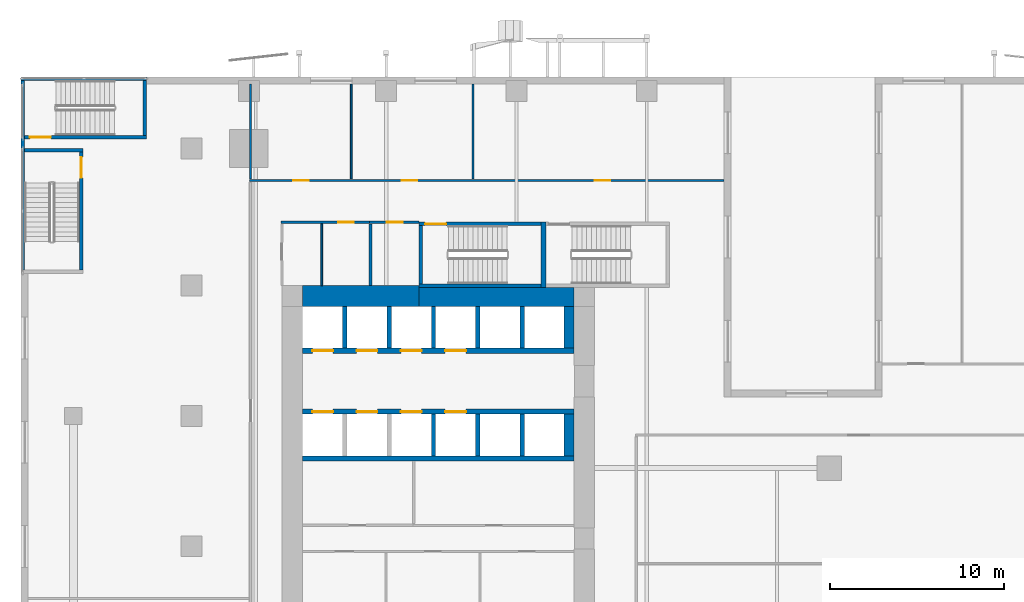
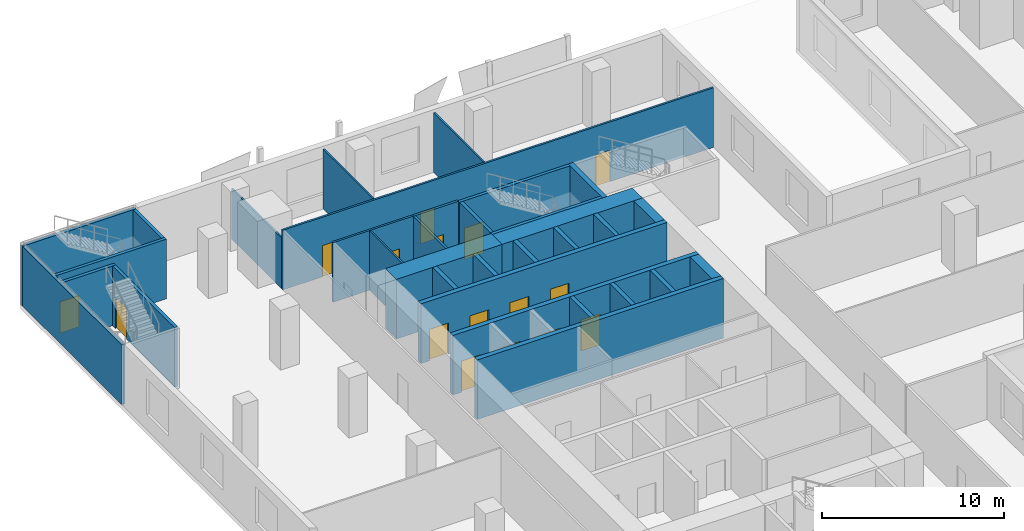
# One storey, part 12 of 21: 33 walls, 16 doors, 16 openings.
"""IFC4 building model written with IfcOpenShell, lengths in metres."""

from ifc_helpers import new_model, si_unit, direction, frame, frame_2d, origin, place, context, subcontext, project, spatial, rectangle, extrude, source, transform, mapped, material, layer, layer_set, type_object, element, fill, save


model = new_model("IFC4")

# Units and contexts
model_context = context("Model", 3, precision=1e-05, world=origin(), true_north=direction((0.0, 1.0)))
body_context = subcontext(model_context, "Body", "Model", "MODEL_VIEW")
ifc_project = project(units=[si_unit("LENGTHUNIT", "METRE"), si_unit("AREAUNIT", "SQUARE_METRE"), si_unit("VOLUMEUNIT", "CUBIC_METRE"), si_unit("PLANEANGLEUNIT", "RADIAN"), si_unit("MASSUNIT", "GRAM", prefix="KILO")], contexts=[model_context])

# Site, building, storey
site_placement = place(None, origin())
site = spatial("IfcSite", under=ifc_project, at=site_placement, CompositionType="ELEMENT")
building_placement = place(site_placement, origin())
building = spatial("IfcBuilding", under=site, at=building_placement, Name="Khomas Fold Tower", CompositionType="ELEMENT")
storey_placement = place(building_placement, frame((0.0, 0.0, 28.5)))
storey = spatial("IfcBuildingStorey", under=building, at=storey_placement, Name="L05", CompositionType="ELEMENT", Elevation=28.5)

# Walls
ifc_material_1 = material(Name="Concrete C70/85", Category="concrete")
ifc_layer_1 = layer(ifc_material_1, 1.199951171875)
ifc_layer_set_1 = layer_set([ifc_layer_1], Name="Concrete C70/85")
wall_type_1 = type_object("IfcWallType", Name="Core wall 1200", PredefinedType="SHEAR", material=ifc_layer_set_1)
shared_shape_1 = source(origin(), body_context, "Body", "SweptSolid", [
    extrude(rectangle(XDim=6.699951171875, YDim=1.199951171875, at=frame_2d((3.35009765625, 0.0))), origin(), (0.0, 0.0, 1.0), 4.0),
])
wall_1_placement = place(storey_placement, frame((7.199951171875, 41.39990234375, 0.0), z_axis=(0.0, 0.0, 1.0), x_axis=(1.0, 0.0, 0.0)))
element("IfcWall", 1, at=wall_1_placement, inside=storey, type_object=wall_type_1, Name="Core wall CW-L-N-B2", PredefinedType="SHEAR", context=body_context, shape_type="MappedRepresentation", body=[
    mapped(shared_shape_1, transform((0.0, 0.0, 0.0))),
])
ifc_material_2 = material(Name="Concrete C70/85", Category="concrete")
ifc_layer_2 = layer(ifc_material_2, 1.10009765625)
ifc_layer_set_2 = layer_set([ifc_layer_2], Name="Concrete C70/85")
wall_type_2 = type_object("IfcWallType", Name="Core wall 1100", PredefinedType="SHEAR", material=ifc_layer_set_2)
shared_shape_2 = source(origin(), body_context, "Body", "SweptSolid", [
    extrude(rectangle(XDim=8.900146484375, YDim=1.10009765625, at=frame_2d((4.4501953125, 0.0))), origin(), (0.0, 0.0, 1.0), 4.0),
])
wall_2_placement = place(storey_placement, frame((13.89990234375, 41.35009765625, 0.0), z_axis=(0.0, 0.0, 1.0), x_axis=(1.0, 0.0, 0.0)))
element("IfcWall", 2, at=wall_2_placement, inside=storey, type_object=wall_type_2, Name="Core wall CW-L-N-B2-1", PredefinedType="SHEAR", context=body_context, shape_type="MappedRepresentation", body=[
    mapped(shared_shape_2, transform((0.0, 0.0, 0.0))),
])

# Wall, opening, door
ifc_material_3 = material(Name="Concrete C50/60", Category="concrete")
ifc_layer_3 = layer(ifc_material_3, 0.199951171875)
ifc_layer_set_3 = layer_set([ifc_layer_3], Name="Concrete C50/60")
wall_type_3 = type_object("IfcWallType", Name="Stair wall 200", PredefinedType="SHEAR", material=ifc_layer_set_3)
shared_shape_3 = source(origin(), body_context, "Body", "SweptSolid", [
    extrude(rectangle(XDim=7.0, YDim=0.199951171875, at=frame_2d((3.5, 0.0))), origin(), (0.0, 0.0, 1.0), 4.0),
])
wall_3_placement = place(storey_placement, frame((13.89990234375, 45.550048828125, 0.0), z_axis=(0.0, 0.0, 1.0), x_axis=(1.0, 0.0, 0.0)))
wall_3 = element("IfcWall", 3, at=wall_3_placement, inside=storey, type_object=wall_type_3, Name="Stair wall SW-ST1-N", PredefinedType="SHEAR", context=body_context, shape_type="MappedRepresentation", body=[
    mapped(shared_shape_3, transform((0.0, 0.0, 0.0))),
])
shared_shape_4 = source(origin(), body_context, "Body", "SweptSolid", [
    extrude(rectangle(XDim=1.199951171875, YDim=2.10009765625, at=frame_2d((0.60009765625, 1.050048828125))), frame((0.0, 0.10986328125, 0.0), z_axis=(0.0, -1.0, 0.0), x_axis=(1.0, 0.0, 0.0)), (0.0, 0.0, 1.0), 0.219970703125),
])
opening_1_placement = place(wall_3_placement, frame((0.35009765625, 0.0, 0.0)))
opening_1 = element("IfcOpeningElement", 4, at=opening_1_placement, cuts=wall_3, Name="Opening SD-ST1", PredefinedType="OPENING", context=body_context, shape_type="MappedRepresentation", body=[
    mapped(shared_shape_4, transform((0.0, 0.0, 0.0))),
])
ifc_material_4 = material(Name="Steel door leaf", Category="steel")
door_type_1 = type_object("IfcDoorType", Name="Stair door 1200x2100 left-hand", OperationType="SINGLE_SWING_LEFT", PredefinedType="DOOR", material=ifc_material_4)
shared_shape_5 = source(origin(), body_context, "Body", "SweptSolid", [
    extrude(rectangle(XDim=1.199951171875, YDim=2.10009765625, at=frame_2d((0.60009765625, 1.050048828125))), frame((0.0, 0.02490234375, 0.0), z_axis=(0.0, -1.0, 0.0), x_axis=(1.0, 0.0, 0.0)), (0.0, 0.0, 1.0), 0.050048828125),
])
door_1_placement = place(opening_1_placement, origin())
door_1 = element("IfcDoor", 5, at=door_1_placement, inside=storey, type_object=door_type_1, Name="Stair door", OperationType="SINGLE_SWING_LEFT", OverallHeight=2.10009765625, OverallWidth=1.199951171875, PredefinedType="DOOR", context=body_context, shape_type="MappedRepresentation", body=[
    mapped(shared_shape_5, transform((0.0, 0.0, 0.0))),
])
fill(opening_1, door_1)

# Wall
wall_4_placement = place(storey_placement, frame((13.89990234375, 42.0, 0.0), z_axis=(0.0, 0.0, 1.0), x_axis=(1.0, 0.0, 0.0)))
element("IfcWall", 6, at=wall_4_placement, inside=storey, type_object=wall_type_3, Name="Stair wall SW-ST1-S", PredefinedType="SHEAR", context=body_context, shape_type="MappedRepresentation", body=[
    mapped(shared_shape_3, transform((0.0, 0.0, 0.0))),
])

# Wall, opening, door
ifc_material_5 = material(Name="Concrete C30/37", Category="concrete")
ifc_layer_4 = layer(ifc_material_5, 0.199951171875)
ifc_layer_set_4 = layer_set([ifc_layer_4], Name="Concrete C30/37")
wall_type_4 = type_object("IfcWallType", Name="Stair wall PW5 200", PredefinedType="PARTITIONING", material=ifc_layer_set_4)
wall_5_placement = place(storey_placement, frame((-8.800048828125, 50.550048828125, 0.0), z_axis=(0.0, 0.0, 1.0), x_axis=(1.0, 0.0, 0.0)))
wall_5 = element("IfcWall", 7, at=wall_5_placement, inside=storey, type_object=wall_type_4, Name="Stair wall", PredefinedType="PARTITIONING", context=body_context, shape_type="MappedRepresentation", body=[
    mapped(shared_shape_3, transform((0.0, 0.0, 0.0))),
])
opening_2_placement = place(wall_5_placement, frame((0.300048828125, 0.0, 0.0)))
opening_2 = element("IfcOpeningElement", 8, at=opening_2_placement, cuts=wall_5, Name="Opening 0018", PredefinedType="OPENING", context=body_context, shape_type="MappedRepresentation", body=[
    mapped(shared_shape_4, transform((0.0, 0.0, 0.0))),
])
ifc_material_6 = material(Name="Steel door leaf", Category="steel")
door_type_2 = type_object("IfcDoorType", Name="Stair door 1200x2100 right-hand", OperationType="SINGLE_SWING_RIGHT", PredefinedType="DOOR", material=ifc_material_6)
door_2_placement = place(opening_2_placement, origin())
door_2 = element("IfcDoor", 9, at=door_2_placement, inside=storey, type_object=door_type_2, Name="Stair door", OperationType="SINGLE_SWING_RIGHT", OverallHeight=2.10009765625, OverallWidth=1.199951171875, PredefinedType="DOOR", context=body_context, shape_type="MappedRepresentation", body=[
    mapped(shared_shape_5, transform((0.0, 0.0, 0.0))),
])
fill(opening_2, door_2)

# Walls
ifc_material_7 = material(Name="Concrete C50/60", Category="concrete")
ifc_layer_5 = layer(ifc_material_7, 0.300048828125)
ifc_layer_set_5 = layer_set([ifc_layer_5], Name="Concrete C50/60")
wall_type_5 = type_object("IfcWallType", Name="Stair wall 300", PredefinedType="SHEAR", material=ifc_layer_set_5)
shared_shape_6 = source(origin(), body_context, "Body", "SweptSolid", [
    extrude(rectangle(XDim=3.75, YDim=0.300048828125, at=frame_2d((1.875, 0.0))), origin(), (0.0, 0.0, 1.0), 4.0),
])
wall_6_placement = place(storey_placement, frame((21.050048828125, 41.89990234375, 0.0), z_axis=(0.0, 0.0, 1.0), x_axis=(0.0, 1.0, 0.0)))
element("IfcWall", 10, at=wall_6_placement, inside=storey, type_object=wall_type_5, Name="Stair wall SW-ST1-E", PredefinedType="SHEAR", context=body_context, shape_type="MappedRepresentation", body=[
    mapped(shared_shape_6, transform((0.0, 0.0, 0.0))),
])
shared_shape_7 = source(origin(), body_context, "Body", "SweptSolid", [
    extrude(rectangle(XDim=3.349853515625, YDim=0.199951171875, at=frame_2d((1.6748046875, 0.0))), origin(), (0.0, 0.0, 1.0), 4.0),
])
wall_7_placement = place(storey_placement, frame((14.0, 42.10009765625, 0.0), z_axis=(0.0, 0.0, 1.0), x_axis=(0.0, 1.0, 0.0)))
element("IfcWall", 11, at=wall_7_placement, inside=storey, type_object=wall_type_3, Name="Stair wall SW-ST1-W", PredefinedType="SHEAR", context=body_context, shape_type="MappedRepresentation", body=[
    mapped(shared_shape_7, transform((0.0, 0.0, 0.0))),
])
ifc_material_8 = material(Name="Concrete C50/60", Category="concrete")
ifc_layer_6 = layer(ifc_material_8, 0.300048828125)
ifc_layer_set_6 = layer_set([ifc_layer_6], Name="Concrete C50/60")
wall_type_6 = type_object("IfcWallType", Name="Shaft wall 300", PredefinedType="STANDARD", material=ifc_layer_set_6)
shared_shape_8 = source(origin(), body_context, "Body", "SweptSolid", [
    extrude(rectangle(XDim=15.60009765625, YDim=0.300048828125, at=frame_2d((7.800048828125, 0.0))), origin(), (0.0, 0.0, 1.0), 4.0),
])
wall_8_placement = place(storey_placement, frame((7.199951171875, 32.050048828125, 0.0), z_axis=(0.0, 0.0, 1.0), x_axis=(1.0, 0.0, 0.0)))
element("IfcWall", 12, at=wall_8_placement, inside=storey, type_object=wall_type_6, Name="Core wall SW-HRN-B", PredefinedType="STANDARD", context=body_context, shape_type="MappedRepresentation", body=[
    mapped(shared_shape_8, transform((0.0, 0.0, 0.0))),
])

# Wall, openings, doors
wall_9_placement = place(storey_placement, frame((7.199951171875, 38.25, 0.0), z_axis=(0.0, 0.0, 1.0), x_axis=(1.0, 0.0, 0.0)))
wall_9 = element("IfcWall", 13, at=wall_9_placement, inside=storey, type_object=wall_type_6, Name="Core wall SW-LRN-F", PredefinedType="STANDARD", context=body_context, shape_type="MappedRepresentation", body=[
    mapped(shared_shape_8, transform((0.0, 0.0, 0.0))),
])
shared_shape_9 = source(origin(), body_context, "Body", "SweptSolid", [
    extrude(rectangle(XDim=1.199951171875, YDim=2.10009765625, at=frame_2d((0.60009765625, 1.050048828125))), frame((0.0, 0.159912109375, 0.0), z_axis=(0.0, -1.0, 0.0), x_axis=(1.0, 0.0, 0.0)), (0.0, 0.0, 1.0), 0.320068359375),
])
opening_3_placement = place(wall_9_placement, frame((0.550048828125, 0.0, 0.0)))
opening_3 = element("IfcOpeningElement", 14, at=opening_3_placement, cuts=wall_9, Name="Opening LD-LR5", PredefinedType="OPENING", context=body_context, shape_type="MappedRepresentation", body=[
    mapped(shared_shape_9, transform((0.0, 0.0, 0.0))),
])
opening_4_placement = place(wall_9_placement, frame((3.10009765625, 0.0, 0.0)))
opening_4 = element("IfcOpeningElement", 15, at=opening_4_placement, cuts=wall_9, Name="Opening LD-LR6", PredefinedType="OPENING", context=body_context, shape_type="MappedRepresentation", body=[
    mapped(shared_shape_9, transform((0.0, 0.0, 0.0))),
])
opening_5_placement = place(wall_9_placement, frame((5.64990234375, 0.0, 0.0)))
opening_5 = element("IfcOpeningElement", 16, at=opening_5_placement, cuts=wall_9, Name="Opening LD-LR7", PredefinedType="OPENING", context=body_context, shape_type="MappedRepresentation", body=[
    mapped(shared_shape_9, transform((0.0, 0.0, 0.0))),
])
opening_6_placement = place(wall_9_placement, frame((8.199951171875, 0.0, 0.0)))
opening_6 = element("IfcOpeningElement", 17, at=opening_6_placement, cuts=wall_9, Name="Opening LD-LR8", PredefinedType="OPENING", context=body_context, shape_type="MappedRepresentation", body=[
    mapped(shared_shape_9, transform((0.0, 0.0, 0.0))),
])
ifc_material_9 = material(Name="Steel door leaf", Category="steel")
door_type_3 = type_object("IfcDoorType", Name="Landing door 1200x2100", OperationType="DOUBLE_DOOR_SLIDING", PredefinedType="DOOR", material=ifc_material_9)
door_3_placement = place(opening_3_placement, origin())
door_3 = element("IfcDoor", 18, at=door_3_placement, inside=storey, type_object=door_type_3, Name="Lift landing door", OperationType="DOUBLE_DOOR_SLIDING", OverallHeight=2.10009765625, OverallWidth=1.199951171875, PredefinedType="DOOR", context=body_context, shape_type="MappedRepresentation", body=[
    mapped(shared_shape_5, transform((0.0, 0.0, 0.0))),
])
fill(opening_3, door_3)
door_4_placement = place(opening_4_placement, origin())
door_4 = element("IfcDoor", 19, at=door_4_placement, inside=storey, type_object=door_type_3, Name="Lift landing door", OperationType="DOUBLE_DOOR_SLIDING", OverallHeight=2.10009765625, OverallWidth=1.199951171875, PredefinedType="DOOR", context=body_context, shape_type="MappedRepresentation", body=[
    mapped(shared_shape_5, transform((0.0, 0.0, 0.0))),
])
fill(opening_4, door_4)
door_5_placement = place(opening_5_placement, origin())
door_5 = element("IfcDoor", 20, at=door_5_placement, inside=storey, type_object=door_type_3, Name="Lift landing door", OperationType="DOUBLE_DOOR_SLIDING", OverallHeight=2.10009765625, OverallWidth=1.199951171875, PredefinedType="DOOR", context=body_context, shape_type="MappedRepresentation", body=[
    mapped(shared_shape_5, transform((0.0, 0.0, 0.0))),
])
fill(opening_5, door_5)
door_6_placement = place(opening_6_placement, origin())
door_6 = element("IfcDoor", 21, at=door_6_placement, inside=storey, type_object=door_type_3, Name="Lift landing door", OperationType="DOUBLE_DOOR_SLIDING", OverallHeight=2.10009765625, OverallWidth=1.199951171875, PredefinedType="DOOR", context=body_context, shape_type="MappedRepresentation", body=[
    mapped(shared_shape_5, transform((0.0, 0.0, 0.0))),
])
fill(opening_6, door_6)

wall_10_placement = place(storey_placement, frame((7.199951171875, 34.75, 0.0), z_axis=(0.0, 0.0, 1.0), x_axis=(1.0, 0.0, 0.0)))
wall_10 = element("IfcWall", 22, at=wall_10_placement, inside=storey, type_object=wall_type_6, Name="Core wall SW-LRS-F", PredefinedType="STANDARD", context=body_context, shape_type="MappedRepresentation", body=[
    mapped(shared_shape_8, transform((0.0, 0.0, 0.0))),
])
opening_7_placement = place(wall_10_placement, frame((0.550048828125, 0.0, 0.0)))
opening_7 = element("IfcOpeningElement", 23, at=opening_7_placement, cuts=wall_10, Name="Opening LD-LR1", PredefinedType="OPENING", context=body_context, shape_type="MappedRepresentation", body=[
    mapped(shared_shape_9, transform((0.0, 0.0, 0.0))),
])
opening_8_placement = place(wall_10_placement, frame((3.10009765625, 0.0, 0.0)))
opening_8 = element("IfcOpeningElement", 24, at=opening_8_placement, cuts=wall_10, Name="Opening LD-LR2", PredefinedType="OPENING", context=body_context, shape_type="MappedRepresentation", body=[
    mapped(shared_shape_9, transform((0.0, 0.0, 0.0))),
])
opening_9_placement = place(wall_10_placement, frame((5.64990234375, 0.0, 0.0)))
opening_9 = element("IfcOpeningElement", 25, at=opening_9_placement, cuts=wall_10, Name="Opening LD-LR3", PredefinedType="OPENING", context=body_context, shape_type="MappedRepresentation", body=[
    mapped(shared_shape_9, transform((0.0, 0.0, 0.0))),
])
opening_10_placement = place(wall_10_placement, frame((8.199951171875, 0.0, 0.0)))
opening_10 = element("IfcOpeningElement", 26, at=opening_10_placement, cuts=wall_10, Name="Opening LD-LR4", PredefinedType="OPENING", context=body_context, shape_type="MappedRepresentation", body=[
    mapped(shared_shape_9, transform((0.0, 0.0, 0.0))),
])
door_7_placement = place(opening_7_placement, origin())
door_7 = element("IfcDoor", 27, at=door_7_placement, inside=storey, type_object=door_type_3, Name="Lift landing door", OperationType="DOUBLE_DOOR_SLIDING", OverallHeight=2.10009765625, OverallWidth=1.199951171875, PredefinedType="DOOR", context=body_context, shape_type="MappedRepresentation", body=[
    mapped(shared_shape_5, transform((0.0, 0.0, 0.0))),
])
fill(opening_7, door_7)
door_8_placement = place(opening_8_placement, origin())
door_8 = element("IfcDoor", 28, at=door_8_placement, inside=storey, type_object=door_type_3, Name="Lift landing door", OperationType="DOUBLE_DOOR_SLIDING", OverallHeight=2.10009765625, OverallWidth=1.199951171875, PredefinedType="DOOR", context=body_context, shape_type="MappedRepresentation", body=[
    mapped(shared_shape_5, transform((0.0, 0.0, 0.0))),
])
fill(opening_8, door_8)
door_9_placement = place(opening_9_placement, origin())
door_9 = element("IfcDoor", 29, at=door_9_placement, inside=storey, type_object=door_type_3, Name="Lift landing door", OperationType="DOUBLE_DOOR_SLIDING", OverallHeight=2.10009765625, OverallWidth=1.199951171875, PredefinedType="DOOR", context=body_context, shape_type="MappedRepresentation", body=[
    mapped(shared_shape_5, transform((0.0, 0.0, 0.0))),
])
fill(opening_9, door_9)
door_10_placement = place(opening_10_placement, origin())
door_10 = element("IfcDoor", 30, at=door_10_placement, inside=storey, type_object=door_type_3, Name="Lift landing door", OperationType="DOUBLE_DOOR_SLIDING", OverallHeight=2.10009765625, OverallWidth=1.199951171875, PredefinedType="DOOR", context=body_context, shape_type="MappedRepresentation", body=[
    mapped(shared_shape_5, transform((0.0, 0.0, 0.0))),
])
fill(opening_10, door_10)

# Walls
ifc_material_10 = material(Name="Concrete C50/60", Category="concrete")
ifc_layer_7 = layer(ifc_material_10, 0.25)
ifc_layer_set_7 = layer_set([ifc_layer_7], Name="Concrete C50/60")
wall_type_7 = type_object("IfcWallType", Name="Shaft wall 250", PredefinedType="STANDARD", material=ifc_layer_set_7)
shared_shape_10 = source(origin(), body_context, "Body", "SweptSolid", [
    extrude(rectangle(XDim=2.400146484375, YDim=0.25, at=frame_2d((1.2001953125, 0.0))), origin(), (0.0, 0.0, 1.0), 4.0),
])
for number, where, z_axis, x_axis, name in (
    (31, (9.625, 38.39990234375, 0.0), (0.0, 0.0, 1.0), (0.0, 1.0, 0.0), "Core wall SW-LRN-P1"),
    (32, (12.175048828125, 38.39990234375, 0.0), (0.0, 0.0, 1.0), (0.0, 1.0, 0.0), "Core wall SW-LRN-P2"),
    (33, (14.72509765625, 38.39990234375, 0.0), (0.0, 0.0, 1.0), (0.0, 1.0, 0.0), "Core wall SW-LRN-P3"),
    (34, (17.27490234375, 38.39990234375, 0.0), (0.0, 0.0, 1.0), (0.0, 1.0, 0.0), "Core wall SW-LRN-P4"),
    (35, (19.824951171875, 38.39990234375, 0.0), (0.0, 0.0, 1.0), (0.0, 1.0, 0.0), "Core wall SW-LRN-P5"),
    (36, (14.72509765625, 32.199951171875, 0.0), (0.0, 0.0, 1.0), (0.0, 1.0, 0.0), "Core wall SW-LRS-P3"),
    (37, (17.27490234375, 32.199951171875, 0.0), (0.0, 0.0, 1.0), (0.0, 1.0, 0.0), "Core wall SW-LRS-P4"),
    (38, (19.824951171875, 32.199951171875, 0.0), (0.0, 0.0, 1.0), (0.0, 1.0, 0.0), "Core wall SW-LRS-P5"),
):
    element("IfcWall", number, at=place(storey_placement, frame(where, z_axis=z_axis, x_axis=x_axis)), inside=storey, type_object=wall_type_7, Name=name, PredefinedType="STANDARD", context=body_context, shape_type="MappedRepresentation", body=[
        mapped(shared_shape_10, transform((0.0, 0.0, 0.0))),
    ])
ifc_material_11 = material(Name="Concrete C50/60", Category="concrete")
ifc_layer_8 = layer(ifc_material_11, 0.550048828125)
ifc_layer_set_8 = layer_set([ifc_layer_8], Name="Concrete C50/60")
wall_type_8 = type_object("IfcWallType", Name="Shaft wall 550", PredefinedType="STANDARD", material=ifc_layer_set_8)
shared_shape_11 = source(origin(), body_context, "Body", "SweptSolid", [
    extrude(rectangle(XDim=2.400146484375, YDim=0.550048828125, at=frame_2d((1.2001953125, 0.0))), origin(), (0.0, 0.0, 1.0), 4.0),
])
for number, where, z_axis, x_axis, name in (
    (39, (22.52490234375, 38.39990234375, 0.0), (0.0, 0.0, 1.0), (0.0, 1.0, 0.0), "Core wall SW-LRN-PE"),
    (40, (22.52490234375, 32.199951171875, 0.0), (0.0, 0.0, 1.0), (0.0, 1.0, 0.0), "Core wall SW-LRS-PE"),
):
    element("IfcWall", number, at=place(storey_placement, frame(where, z_axis=z_axis, x_axis=x_axis)), inside=storey, type_object=wall_type_8, Name=name, PredefinedType="STANDARD", context=body_context, shape_type="MappedRepresentation", body=[
        mapped(shared_shape_11, transform((0.0, 0.0, 0.0))),
    ])
shared_shape_12 = source(origin(), body_context, "Body", "SweptSolid", [
    extrude(rectangle(XDim=7.199951171875, YDim=0.199951171875, at=frame_2d((3.60009765625, 0.0))), origin(), (0.0, 0.0, 1.0), 4.0),
])
wall_11_placement = place(storey_placement, frame((-9.0, 53.89990234375, 0.0), z_axis=(0.0, 0.0, 1.0), x_axis=(1.0, 0.0, 0.0)))
element("IfcWall", 41, at=wall_11_placement, inside=storey, type_object=wall_type_4, Name="Stair wall", PredefinedType="PARTITIONING", context=body_context, shape_type="MappedRepresentation", body=[
    mapped(shared_shape_12, transform((0.0, 0.0, 0.0))),
])
shared_shape_13 = source(origin(), body_context, "Body", "SweptSolid", [
    extrude(rectangle(XDim=10.900146484375, YDim=0.199951171875, at=frame_2d((5.4501953125, 0.0))), origin(), (0.0, 0.0, 1.0), 4.0),
])
wall_12_placement = place(storey_placement, frame((-8.89990234375, 42.89990234375, 0.0), z_axis=(0.0, 0.0, 1.0), x_axis=(0.0, 1.0, 0.0)))
element("IfcWall", 42, at=wall_12_placement, inside=storey, type_object=wall_type_4, Name="Stair wall", PredefinedType="PARTITIONING", context=body_context, shape_type="MappedRepresentation", body=[
    mapped(shared_shape_13, transform((0.0, 0.0, 0.0))),
])
shared_shape_14 = source(origin(), body_context, "Body", "SweptSolid", [
    extrude(rectangle(XDim=3.150146484375, YDim=0.199951171875, at=frame_2d((1.5751953125, 0.0))), origin(), (0.0, 0.0, 1.0), 4.0),
])
wall_13_placement = place(storey_placement, frame((-1.89990234375, 50.64990234375, 0.0), z_axis=(0.0, 0.0, 1.0), x_axis=(0.0, 1.0, 0.0)))
element("IfcWall", 43, at=wall_13_placement, inside=storey, type_object=wall_type_4, Name="Stair wall", PredefinedType="PARTITIONING", context=body_context, shape_type="MappedRepresentation", body=[
    mapped(shared_shape_14, transform((0.0, 0.0, 0.0))),
])
shared_shape_15 = source(origin(), body_context, "Body", "SweptSolid", [
    extrude(rectangle(XDim=3.35009765625, YDim=0.199951171875, at=frame_2d((1.675048828125, 0.0))), origin(), (0.0, 0.0, 1.0), 4.0),
])
wall_14_placement = place(storey_placement, frame((-8.800048828125, 49.800048828125, 0.0), z_axis=(0.0, 0.0, 1.0), x_axis=(1.0, 0.0, 0.0)))
element("IfcWall", 44, at=wall_14_placement, inside=storey, type_object=wall_type_4, Name="Stair wall", PredefinedType="PARTITIONING", context=body_context, shape_type="MappedRepresentation", body=[
    mapped(shared_shape_15, transform((0.0, 0.0, 0.0))),
])

# Wall, opening, door
shared_shape_16 = source(origin(), body_context, "Body", "SweptSolid", [
    extrude(rectangle(XDim=6.800048828125, YDim=0.199951171875, at=frame_2d((3.39990234375, 0.0))), origin(), (0.0, 0.0, 1.0), 4.0),
])
wall_15_placement = place(storey_placement, frame((-5.550048828125, 42.89990234375, 0.0), z_axis=(0.0, 0.0, 1.0), x_axis=(0.0, 1.0, 0.0)))
wall_15 = element("IfcWall", 45, at=wall_15_placement, inside=storey, type_object=wall_type_4, Name="Stair wall", PredefinedType="PARTITIONING", context=body_context, shape_type="MappedRepresentation", body=[
    mapped(shared_shape_16, transform((0.0, 0.0, 0.0))),
])
opening_11_placement = place(wall_15_placement, frame((5.300048828125, 0.0, 0.0)))
opening_11 = element("IfcOpeningElement", 46, at=opening_11_placement, cuts=wall_15, Name="Opening 0017", PredefinedType="OPENING", context=body_context, shape_type="MappedRepresentation", body=[
    mapped(shared_shape_4, transform((0.0, 0.0, 0.0))),
])
door_11_placement = place(opening_11_placement, origin())
door_11 = element("IfcDoor", 47, at=door_11_placement, inside=storey, type_object=door_type_1, Name="Stair door", OperationType="SINGLE_SWING_LEFT", OverallHeight=2.10009765625, OverallWidth=1.199951171875, PredefinedType="DOOR", context=body_context, shape_type="MappedRepresentation", body=[
    mapped(shared_shape_5, transform((0.0, 0.0, 0.0))),
])
fill(opening_11, door_11)

# Walls
ifc_material_12 = material(Name="Plasterboard partition")
ifc_layer_9 = layer(ifc_material_12, 0.10009765625)
ifc_layer_set_9 = layer_set([ifc_layer_9], Name="Plasterboard partition")
wall_type_9 = type_object("IfcWallType", Name="Partition PW1 100", PredefinedType="PARTITIONING", material=ifc_layer_set_9)
shared_shape_17 = source(origin(), body_context, "Body", "SweptSolid", [
    extrude(rectangle(XDim=3.550048828125, YDim=0.10009765625, at=frame_2d((1.77490234375, 0.0))), origin(), (0.0, 0.0, 1.0), 4.0),
])
wall_16_placement = place(storey_placement, frame((8.300048828125, 42.0, 0.0), z_axis=(0.0, 0.0, 1.0), x_axis=(0.0, 1.0, 0.0)))
element("IfcWall", 48, at=wall_16_placement, inside=storey, type_object=wall_type_9, Name="Partition", PredefinedType="PARTITIONING", context=body_context, shape_type="MappedRepresentation", body=[
    mapped(shared_shape_17, transform((0.0, 0.0, 0.0))),
])
ifc_material_13 = material(Name="Plasterboard fire partition")
ifc_layer_10 = layer(ifc_material_13, 0.14990234375)
ifc_layer_set_10 = layer_set([ifc_layer_10], Name="Plasterboard fire partition")
wall_type_10 = type_object("IfcWallType", Name="Plant room wall PW3 150", PredefinedType="PARTITIONING", material=ifc_layer_set_10)
shared_shape_18 = source(origin(), body_context, "Body", "SweptSolid", [
    extrude(rectangle(XDim=3.550048828125, YDim=0.14990234375, at=frame_2d((1.77490234375, 0.0))), origin(), (0.0, 0.0, 1.0), 4.0),
])
wall_17_placement = place(storey_placement, frame((11.10009765625, 42.0, 0.0), z_axis=(0.0, 0.0, 1.0), x_axis=(0.0, 1.0, 0.0)))
element("IfcWall", 49, at=wall_17_placement, inside=storey, type_object=wall_type_10, Name="Plant room wall", PredefinedType="PARTITIONING", context=body_context, shape_type="MappedRepresentation", body=[
    mapped(shared_shape_18, transform((0.0, 0.0, 0.0))),
])

# Wall, opening, door
ifc_material_14 = material(Name="Plasterboard partition")
ifc_layer_11 = layer(ifc_material_14, 0.125)
ifc_layer_set_11 = layer_set([ifc_layer_11], Name="Plasterboard partition")
wall_type_11 = type_object("IfcWallType", Name="Partition PW2 125", PredefinedType="PARTITIONING", material=ifc_layer_set_11)
shared_shape_19 = source(origin(), body_context, "Body", "SweptSolid", [
    extrude(rectangle(XDim=5.10009765625, YDim=0.125, at=frame_2d((2.550048828125, 0.0))), origin(), (0.0, 0.0, 1.0), 4.0),
])
wall_18_placement = place(storey_placement, frame((5.949951171875, 45.64990234375, 0.0), z_axis=(0.0, 0.0, 1.0), x_axis=(1.0, 0.0, 0.0)))
wall_18 = element("IfcWall", 50, at=wall_18_placement, inside=storey, type_object=wall_type_11, Name="Partition", PredefinedType="PARTITIONING", context=body_context, shape_type="MappedRepresentation", body=[
    mapped(shared_shape_19, transform((0.0, 0.0, 0.0))),
])
shared_shape_20 = source(origin(), body_context, "Body", "SweptSolid", [
    extrude(rectangle(XDim=0.89990234375, YDim=2.10009765625, at=frame_2d((0.449951171875, 1.050048828125))), frame((0.0, 0.072509765625, 0.0), z_axis=(0.0, -1.0, 0.0), x_axis=(1.0, 0.0, 0.0)), (0.0, 0.0, 1.0), 0.14501953125),
])
opening_12_placement = place(wall_18_placement, frame((3.300048828125, 0.0, 0.0)))
opening_12 = element("IfcOpeningElement", 51, at=opening_12_placement, cuts=wall_18, Name="Opening 0008", PredefinedType="OPENING", context=body_context, shape_type="MappedRepresentation", body=[
    mapped(shared_shape_20, transform((0.0, 0.0, 0.0))),
])
ifc_material_15 = material(Name="Timber door leaf", Category="wood")
door_type_4 = type_object("IfcDoorType", Name="Door 900x2100 right-hand", OperationType="SINGLE_SWING_RIGHT", PredefinedType="DOOR", material=ifc_material_15)
shared_shape_21 = source(origin(), body_context, "Body", "SweptSolid", [
    extrude(rectangle(XDim=0.89990234375, YDim=2.10009765625, at=frame_2d((0.449951171875, 1.050048828125))), frame((0.0, 0.02490234375, 0.0), z_axis=(0.0, -1.0, 0.0), x_axis=(1.0, 0.0, 0.0)), (0.0, 0.0, 1.0), 0.050048828125),
])
door_12_placement = place(opening_12_placement, origin())
door_12 = element("IfcDoor", 52, at=door_12_placement, inside=storey, type_object=door_type_4, Name="Door", OperationType="SINGLE_SWING_RIGHT", OverallHeight=2.10009765625, OverallWidth=0.89990234375, PredefinedType="DOOR", context=body_context, shape_type="MappedRepresentation", body=[
    mapped(shared_shape_21, transform((0.0, 0.0, 0.0))),
])
fill(opening_12, door_12)

shared_shape_22 = source(origin(), body_context, "Body", "SweptSolid", [
    extrude(rectangle(XDim=2.849853515625, YDim=0.14990234375, at=frame_2d((1.4248046875, 0.0))), origin(), (0.0, 0.0, 1.0), 4.0),
])
wall_19_placement = place(storey_placement, frame((11.050048828125, 45.64990234375, 0.0), z_axis=(0.0, 0.0, 1.0), x_axis=(1.0, 0.0, 0.0)))
wall_19 = element("IfcWall", 53, at=wall_19_placement, inside=storey, type_object=wall_type_10, Name="Plant room wall", PredefinedType="PARTITIONING", context=body_context, shape_type="MappedRepresentation", body=[
    mapped(shared_shape_22, transform((0.0, 0.0, 0.0))),
])
shared_shape_23 = source(origin(), body_context, "Body", "SweptSolid", [
    extrude(rectangle(XDim=0.89990234375, YDim=2.10009765625, at=frame_2d((0.449951171875, 1.050048828125))), frame((0.0, 0.0849609375, 0.0), z_axis=(0.0, -1.0, 0.0), x_axis=(1.0, 0.0, 0.0)), (0.0, 0.0, 1.0), 0.169921875),
])
opening_13_placement = place(wall_19_placement, frame((1.0, 0.0, 0.0)))
opening_13 = element("IfcOpeningElement", 54, at=opening_13_placement, cuts=wall_19, Name="Opening 0002", PredefinedType="OPENING", context=body_context, shape_type="MappedRepresentation", body=[
    mapped(shared_shape_23, transform((0.0, 0.0, 0.0))),
])
ifc_material_16 = material(Name="Steel door leaf", Category="steel")
door_type_5 = type_object("IfcDoorType", Name="Plant room door 900x2100 left-hand", OperationType="SINGLE_SWING_LEFT", PredefinedType="DOOR", material=ifc_material_16)
door_13_placement = place(opening_13_placement, origin())
door_13 = element("IfcDoor", 55, at=door_13_placement, inside=storey, type_object=door_type_5, Name="Plant room door", OperationType="SINGLE_SWING_LEFT", OverallHeight=2.10009765625, OverallWidth=0.89990234375, PredefinedType="DOOR", context=body_context, shape_type="MappedRepresentation", body=[
    mapped(shared_shape_21, transform((0.0, 0.0, 0.0))),
])
fill(opening_13, door_13)

# Wall, openings, doors
shared_shape_24 = source(origin(), body_context, "Body", "SweptSolid", [
    extrude(rectangle(XDim=27.300048828125, YDim=0.125, at=frame_2d((13.64990234375, 0.0))), origin(), (0.0, 0.0, 1.0), 4.0),
])
wall_20_placement = place(storey_placement, frame((4.14990234375, 48.050048828125, 0.0), z_axis=(0.0, 0.0, 1.0), x_axis=(1.0, 0.0, 0.0)))
wall_20 = element("IfcWall", 56, at=wall_20_placement, inside=storey, type_object=wall_type_11, Name="Partition", PredefinedType="PARTITIONING", context=body_context, shape_type="MappedRepresentation", body=[
    mapped(shared_shape_24, transform((0.0, 0.0, 0.0))),
])
opening_14_placement = place(wall_20_placement, frame((2.5, 0.0, 0.0)))
opening_14 = element("IfcOpeningElement", 57, at=opening_14_placement, cuts=wall_20, Name="Opening 0007", PredefinedType="OPENING", context=body_context, shape_type="MappedRepresentation", body=[
    mapped(shared_shape_20, transform((0.0, 0.0, 0.0))),
])
opening_15_placement = place(wall_20_placement, frame((8.75, 0.0, 0.0)))
opening_15 = element("IfcOpeningElement", 58, at=opening_15_placement, cuts=wall_20, Name="Opening 0008", PredefinedType="OPENING", context=body_context, shape_type="MappedRepresentation", body=[
    mapped(shared_shape_20, transform((0.0, 0.0, 0.0))),
])
opening_16_placement = place(wall_20_placement, frame((19.85009765625, 0.0, 0.0)))
opening_16 = element("IfcOpeningElement", 59, at=opening_16_placement, cuts=wall_20, Name="Opening 0007", PredefinedType="OPENING", context=body_context, shape_type="MappedRepresentation", body=[
    mapped(shared_shape_20, transform((0.0, 0.0, 0.0))),
])
ifc_material_17 = material(Name="Timber door leaf", Category="wood")
door_type_6 = type_object("IfcDoorType", Name="Door 900x2100 left-hand", OperationType="SINGLE_SWING_LEFT", PredefinedType="DOOR", material=ifc_material_17)
door_14_placement = place(opening_14_placement, origin())
door_14 = element("IfcDoor", 60, at=door_14_placement, inside=storey, type_object=door_type_6, Name="Door", OperationType="SINGLE_SWING_LEFT", OverallHeight=2.10009765625, OverallWidth=0.89990234375, PredefinedType="DOOR", context=body_context, shape_type="MappedRepresentation", body=[
    mapped(shared_shape_21, transform((0.0, 0.0, 0.0))),
])
fill(opening_14, door_14)
door_15_placement = place(opening_15_placement, origin())
door_15 = element("IfcDoor", 61, at=door_15_placement, inside=storey, type_object=door_type_4, Name="Door", OperationType="SINGLE_SWING_RIGHT", OverallHeight=2.10009765625, OverallWidth=0.89990234375, PredefinedType="DOOR", context=body_context, shape_type="MappedRepresentation", body=[
    mapped(shared_shape_21, transform((0.0, 0.0, 0.0))),
])
fill(opening_15, door_15)
door_16_placement = place(opening_16_placement, origin())
door_16 = element("IfcDoor", 62, at=door_16_placement, inside=storey, type_object=door_type_6, Name="Door", OperationType="SINGLE_SWING_LEFT", OverallHeight=2.10009765625, OverallWidth=0.89990234375, PredefinedType="DOOR", context=body_context, shape_type="MappedRepresentation", body=[
    mapped(shared_shape_21, transform((0.0, 0.0, 0.0))),
])
fill(opening_16, door_16)

# Walls
shared_shape_25 = source(origin(), body_context, "Body", "SweptSolid", [
    extrude(rectangle(XDim=5.4501953125, YDim=0.10009765625, at=frame_2d((2.72509765625, 0.0))), origin(), (0.0, 0.0, 1.0), 3.39990234375),
])
wall_21_placement = place(storey_placement, frame((4.199951171875, 48.14990234375, 0.0), z_axis=(0.0, 0.0, 1.0), x_axis=(0.0, 1.0, 0.0)))
element("IfcWall", 63, at=wall_21_placement, inside=storey, type_object=wall_type_9, Name="Partition", PredefinedType="PARTITIONING", context=body_context, shape_type="MappedRepresentation", body=[
    mapped(shared_shape_25, transform((0.0, 0.0, 0.0))),
])
shared_shape_26 = source(origin(), body_context, "Body", "SweptSolid", [
    extrude(rectangle(XDim=5.4501953125, YDim=0.10009765625, at=frame_2d((2.72509765625, 0.0))), origin(), (0.0, 0.0, 1.0), 4.0),
])
for number, where, z_axis, x_axis, name in (
    (64, (10.0, 48.14990234375, 0.0), (0.0, 0.0, 1.0), (0.0, 1.0, 0.0), "Partition"),
    (65, (17.0, 48.14990234375, 0.0), (0.0, 0.0, 1.0), (0.0, 1.0, 0.0), "Partition"),
):
    element("IfcWall", number, at=place(storey_placement, frame(where, z_axis=z_axis, x_axis=x_axis)), inside=storey, type_object=wall_type_9, Name=name, PredefinedType="PARTITIONING", context=body_context, shape_type="MappedRepresentation", body=[
        mapped(shared_shape_26, transform((0.0, 0.0, 0.0))),
    ])

save(model, "model.ifc")
